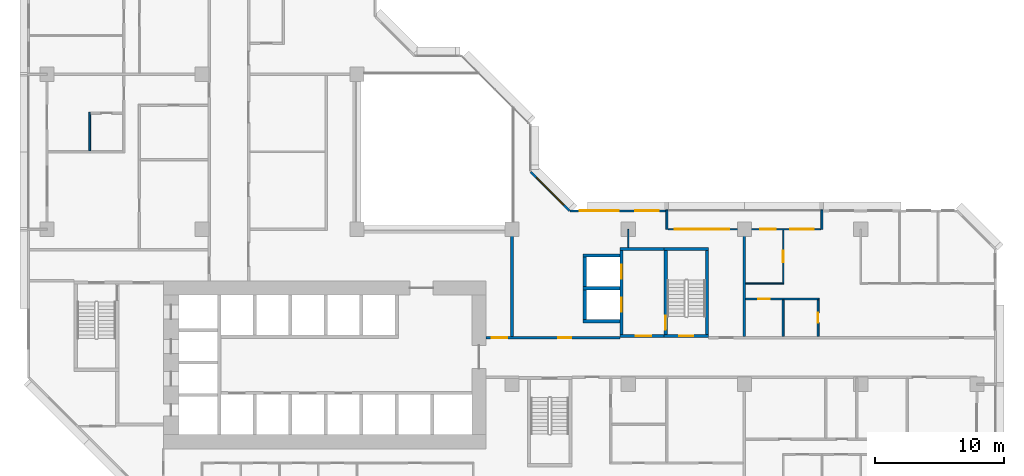
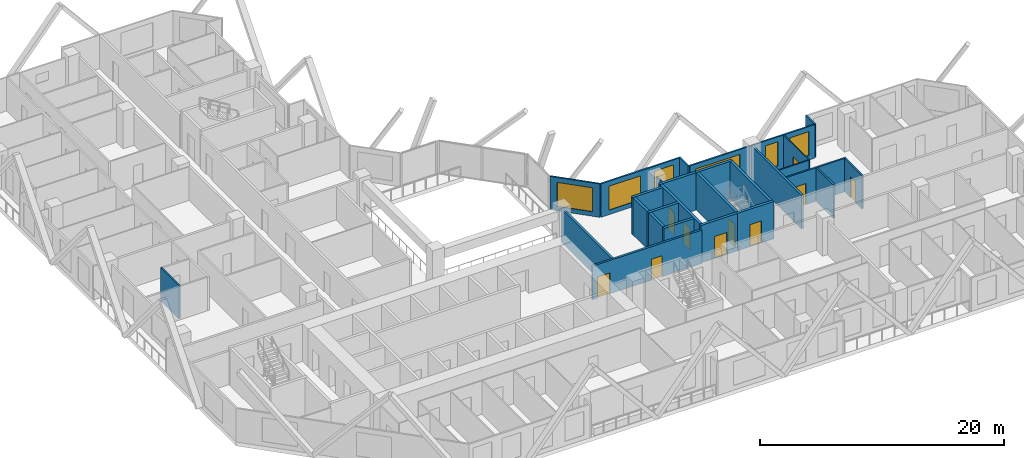
# One storey, part 7 of 15: 27 walls, 10 doors, 6 windows, 16 openings.
"""IFC4 building model written with IfcOpenShell, lengths in metres."""

from ifc_helpers import new_model, si_unit, direction, frame, frame_2d, origin, place, context, subcontext, project, spatial, rectangle, extrude, material, layer, layer_set, type_object, element, fill, save


model = new_model("IFC4")

# Units and contexts
model_context = context("Model", 3, precision=1e-05, world=origin(), true_north=direction((0.0, 1.0)))
body_context = subcontext(model_context, "Body", "Model", "MODEL_VIEW")
ifc_project = project(units=[si_unit("LENGTHUNIT", "METRE"), si_unit("AREAUNIT", "SQUARE_METRE"), si_unit("VOLUMEUNIT", "CUBIC_METRE"), si_unit("PLANEANGLEUNIT", "RADIAN"), si_unit("MASSUNIT", "GRAM", prefix="KILO")], contexts=[model_context])

# Site, building, storey
site_placement = place(None, origin())
site = spatial("IfcSite", under=ifc_project, at=site_placement, CompositionType="ELEMENT")
building_placement = place(site_placement, origin())
building = spatial("IfcBuilding", under=site, at=building_placement, Name="Chenar Terraces", CompositionType="ELEMENT")
storey_placement = place(building_placement, frame((0.0, 0.0, 63.89990234375)))
storey = spatial("IfcBuildingStorey", under=building, at=storey_placement, Name="L13", CompositionType="ELEMENT", Elevation=63.89990234375)

# Wall, opening, door
ifc_material_1 = material(Name="Concrete C70/85", Category="concrete")
ifc_layer_1 = layer(ifc_material_1, 0.25)
ifc_layer_set_1 = layer_set([ifc_layer_1], Name="Concrete C70/85")
wall_type_1 = type_object("IfcWallType", Name="Core wall 250 Concrete C70/85", PredefinedType="SHEAR", material=ifc_layer_set_1)
wall_1_placement = place(storey_placement, frame((47.77490234375, 15.72509765625, 0.0), z_axis=(0.0, 0.0, 1.0), x_axis=(1.0, 0.0, 0.0)))
wall_1 = element("IfcWall", 1, at=wall_1_placement, inside=storey, type_object=wall_type_1, Name="Core wall ST3_S L13", PredefinedType="SHEAR", context=body_context, shape_type="SweptSolid", body=[
    extrude(rectangle(XDim=3.4501953125, YDim=0.25, at=frame_2d((1.72509765625, 0.0))), origin(), (0.0, 0.0, 1.0), 3.75),
])
opening_1_placement = place(wall_1_placement, frame((1.175048828125, 0.0, 0.0)))
opening_1 = element("IfcOpeningElement", 2, at=opening_1_placement, cuts=wall_1, Name="Opening DL13-C8", PredefinedType="OPENING", context=body_context, shape_type="SweptSolid", body=[
    extrude(rectangle(XDim=1.10009765625, YDim=2.199951171875, at=frame_2d((0.550048828125, 1.10009765625))), frame((0.0, 0.135009765625, 0.0), z_axis=(0.0, -1.0, 0.0), x_axis=(1.0, 0.0, 0.0)), (0.0, 0.0, 1.0), 0.27001953125),
])
ifc_material_2 = material(Name="Steel-framed fire-resisting door leaf", Category="steel")
door_type_1 = type_object("IfcDoorType", Name="Stair fire door FD60 1100 x 2200", OperationType="SINGLE_SWING_LEFT", PredefinedType="DOOR", material=ifc_material_2)
door_1_placement = place(opening_1_placement, frame((1.10009765625, 0.0, 0.0), z_axis=(0.0, 0.0, 1.0), x_axis=(-1.0, 0.0, 0.0)))
door_1 = element("IfcDoor", 3, at=door_1_placement, inside=storey, type_object=door_type_1, Name="Stair door DL13-C8", OperationType="SINGLE_SWING_LEFT", OverallHeight=2.199951171875, OverallWidth=1.10009765625, PredefinedType="DOOR", context=body_context, shape_type="SweptSolid", body=[
    extrude(rectangle(XDim=1.10009765625, YDim=2.199951171875, at=frame_2d((0.550048828125, 1.10009765625))), frame((0.0, 0.02490234375, 0.0), z_axis=(0.0, -1.0, 0.0), x_axis=(1.0, 0.0, 0.0)), (0.0, 0.0, 1.0), 0.050048828125),
])
fill(opening_1, door_1)

# Wall
wall_2_placement = place(storey_placement, frame((47.77490234375, 22.47509765625, 0.0), z_axis=(0.0, 0.0, 1.0), x_axis=(1.0, 0.0, 0.0)))
element("IfcWall", 4, at=wall_2_placement, inside=storey, type_object=wall_type_1, Name="Core wall ST3_N L13", PredefinedType="SHEAR", context=body_context, shape_type="SweptSolid", body=[
    extrude(rectangle(XDim=3.4501953125, YDim=0.25, at=frame_2d((1.72509765625, 0.0))), origin(), (0.0, 0.0, 1.0), 3.75),
])

# Wall, opening, door
wall_3_placement = place(storey_placement, frame((47.89990234375, 15.85009765625, 0.0), z_axis=(0.0, 0.0, 1.0), x_axis=(0.0, 1.0, 0.0)))
wall_3 = element("IfcWall", 5, at=wall_3_placement, inside=storey, type_object=wall_type_1, Name="Core wall ST3_W L13", PredefinedType="SHEAR", context=body_context, shape_type="SweptSolid", body=[
    extrude(rectangle(XDim=6.5, YDim=0.25, at=frame_2d((3.25, 0.0))), origin(), (0.0, 0.0, 1.0), 3.75),
])
opening_2_placement = place(wall_3_placement, frame((0.35009765625, 0.0, 0.0)))
opening_2 = element("IfcOpeningElement", 6, at=opening_2_placement, cuts=wall_3, Name="Opening DL13-C11", PredefinedType="OPENING", context=body_context, shape_type="SweptSolid", body=[
    extrude(rectangle(XDim=1.10009765625, YDim=2.199951171875, at=frame_2d((0.550048828125, 1.10009765625))), frame((0.0, 0.135009765625, 0.0), z_axis=(0.0, -1.0, 0.0), x_axis=(1.0, 0.0, 0.0)), (0.0, 0.0, 1.0), 0.27001953125),
])
door_2_placement = place(opening_2_placement, frame((1.10009765625, 0.0, 0.0), z_axis=(0.0, 0.0, 1.0), x_axis=(-1.0, 0.0, 0.0)))
door_2 = element("IfcDoor", 7, at=door_2_placement, inside=storey, type_object=door_type_1, Name="Stair door DL13-C11", OperationType="SINGLE_SWING_RIGHT", OverallHeight=2.199951171875, OverallWidth=1.10009765625, PredefinedType="DOOR", context=body_context, shape_type="SweptSolid", body=[
    extrude(rectangle(XDim=1.10009765625, YDim=2.199951171875, at=frame_2d((0.550048828125, 1.10009765625))), frame((0.0, 0.02490234375, 0.0), z_axis=(0.0, -1.0, 0.0), x_axis=(1.0, 0.0, 0.0)), (0.0, 0.0, 1.0), 0.050048828125),
])
fill(opening_2, door_2)

# Wall
wall_4_placement = place(storey_placement, frame((51.10009765625, 15.85009765625, 0.0), z_axis=(0.0, 0.0, 1.0), x_axis=(0.0, 1.0, 0.0)))
element("IfcWall", 8, at=wall_4_placement, inside=storey, type_object=wall_type_1, Name="Core wall ST3_E L13", PredefinedType="SHEAR", context=body_context, shape_type="SweptSolid", body=[
    extrude(rectangle(XDim=6.5, YDim=0.25, at=frame_2d((3.25, 0.0))), origin(), (0.0, 0.0, 1.0), 3.75),
])

# Wall, opening, door
wall_5_placement = place(storey_placement, frame((44.35009765625, 15.72509765625, 0.0), z_axis=(0.0, 0.0, 1.0), x_axis=(1.0, 0.0, 0.0)))
wall_5 = element("IfcWall", 9, at=wall_5_placement, inside=storey, type_object=wall_type_1, Name="Core wall F3_LS L13", PredefinedType="SHEAR", context=body_context, shape_type="SweptSolid", body=[
    extrude(rectangle(XDim=3.4248046875, YDim=0.25, at=frame_2d((1.71240234375, 0.0))), origin(), (0.0, 0.0, 1.0), 3.75),
])
opening_3_placement = place(wall_5_placement, frame((1.25, 0.0, 0.0)))
opening_3 = element("IfcOpeningElement", 10, at=opening_3_placement, cuts=wall_5, Name="Opening DL13-C10", PredefinedType="OPENING", context=body_context, shape_type="SweptSolid", body=[
    extrude(rectangle(XDim=1.199951171875, YDim=2.199951171875, at=frame_2d((0.60009765625, 1.10009765625))), frame((0.0, 0.135009765625, 0.0), z_axis=(0.0, -1.0, 0.0), x_axis=(1.0, 0.0, 0.0)), (0.0, 0.0, 1.0), 0.27001953125),
])
ifc_material_3 = material(Name="Steel-framed fire-resisting door leaf", Category="steel")
door_type_2 = type_object("IfcDoorType", Name="Lobby fire door FD60 1200 x 2200", OperationType="SINGLE_SWING_LEFT", PredefinedType="DOOR", material=ifc_material_3)
door_3_placement = place(opening_3_placement, origin())
door_3 = element("IfcDoor", 11, at=door_3_placement, inside=storey, type_object=door_type_2, Name="Core door DL13-C10", OperationType="SINGLE_SWING_RIGHT", OverallHeight=2.199951171875, OverallWidth=1.199951171875, PredefinedType="DOOR", context=body_context, shape_type="SweptSolid", body=[
    extrude(rectangle(XDim=1.199951171875, YDim=2.199951171875, at=frame_2d((0.60009765625, 1.10009765625))), frame((0.0, 0.02490234375, 0.0), z_axis=(0.0, -1.0, 0.0), x_axis=(1.0, 0.0, 0.0)), (0.0, 0.0, 1.0), 0.050048828125),
])
fill(opening_3, door_3)

# Wall
wall_6_placement = place(storey_placement, frame((44.35009765625, 22.47509765625, 0.0), z_axis=(0.0, 0.0, 1.0), x_axis=(1.0, 0.0, 0.0)))
element("IfcWall", 12, at=wall_6_placement, inside=storey, type_object=wall_type_1, Name="Core wall F3_LN L13", PredefinedType="SHEAR", context=body_context, shape_type="SweptSolid", body=[
    extrude(rectangle(XDim=3.4248046875, YDim=0.25, at=frame_2d((1.71240234375, 0.0))), origin(), (0.0, 0.0, 1.0), 3.75),
])

# Wall, openings, doors
wall_7_placement = place(storey_placement, frame((44.47509765625, 15.85009765625, 0.0), z_axis=(0.0, 0.0, 1.0), x_axis=(0.0, 1.0, 0.0)))
wall_7 = element("IfcWall", 13, at=wall_7_placement, inside=storey, type_object=wall_type_1, Name="Core wall F3_LW L13", PredefinedType="SHEAR", context=body_context, shape_type="SweptSolid", body=[
    extrude(rectangle(XDim=6.5, YDim=0.25, at=frame_2d((3.25, 0.0))), origin(), (0.0, 0.0, 1.0), 3.75),
])
opening_4_placement = place(wall_7_placement, frame((1.75, 0.0, 0.0)))
opening_4 = element("IfcOpeningElement", 14, at=opening_4_placement, cuts=wall_7, Name="Opening DL13-LD8", PredefinedType="OPENING", context=body_context, shape_type="SweptSolid", body=[
    extrude(rectangle(XDim=1.10009765625, YDim=2.199951171875, at=frame_2d((0.550048828125, 1.10009765625))), frame((0.0, 0.135009765625, 0.0), z_axis=(0.0, -1.0, 0.0), x_axis=(1.0, 0.0, 0.0)), (0.0, 0.0, 1.0), 0.27001953125),
])
opening_5_placement = place(wall_7_placement, frame((4.300048828125, 0.0, 0.0)))
opening_5 = element("IfcOpeningElement", 15, at=opening_5_placement, cuts=wall_7, Name="Opening DL13-LD9", PredefinedType="OPENING", context=body_context, shape_type="SweptSolid", body=[
    extrude(rectangle(XDim=1.10009765625, YDim=2.199951171875, at=frame_2d((0.550048828125, 1.10009765625))), frame((0.0, 0.135009765625, 0.0), z_axis=(0.0, -1.0, 0.0), x_axis=(1.0, 0.0, 0.0)), (0.0, 0.0, 1.0), 0.27001953125),
])
ifc_material_4 = material(Name="Stainless steel", Category="steel")
door_type_3 = type_object("IfcDoorType", Name="Lift landing door 1100 x 2200 sliding", OperationType="DOUBLE_DOOR_SLIDING", PredefinedType="DOOR", material=ifc_material_4)
door_4_placement = place(opening_4_placement, origin())
door_4 = element("IfcDoor", 16, at=door_4_placement, inside=storey, type_object=door_type_3, Name="Landing door F3", OperationType="DOUBLE_DOOR_SLIDING", OverallHeight=2.199951171875, OverallWidth=1.10009765625, PredefinedType="DOOR", context=body_context, shape_type="SweptSolid", body=[
    extrude(rectangle(XDim=1.10009765625, YDim=2.199951171875, at=frame_2d((0.550048828125, 1.10009765625))), frame((0.0, 0.02490234375, 0.0), z_axis=(0.0, -1.0, 0.0), x_axis=(1.0, 0.0, 0.0)), (0.0, 0.0, 1.0), 0.050048828125),
])
fill(opening_4, door_4)
door_5_placement = place(opening_5_placement, origin())
door_5 = element("IfcDoor", 17, at=door_5_placement, inside=storey, type_object=door_type_3, Name="Landing door F4", OperationType="DOUBLE_DOOR_SLIDING", OverallHeight=2.199951171875, OverallWidth=1.10009765625, PredefinedType="DOOR", context=body_context, shape_type="SweptSolid", body=[
    extrude(rectangle(XDim=1.10009765625, YDim=2.199951171875, at=frame_2d((0.550048828125, 1.10009765625))), frame((0.0, 0.02490234375, 0.0), z_axis=(0.0, -1.0, 0.0), x_axis=(1.0, 0.0, 0.0)), (0.0, 0.0, 1.0), 0.050048828125),
])
fill(opening_5, door_5)

# Walls
for number, where, z_axis, x_axis, name in (
    (18, (41.5, 16.875, 0.0), (0.0, 0.0, 1.0), (1.0, 0.0, 0.0), "Core wall F3_SS L13"),
    (19, (41.5, 19.425048828125, 0.0), (0.0, 0.0, 1.0), (1.0, 0.0, 0.0), "Core wall F3_SM L13"),
    (20, (41.5, 21.97509765625, 0.0), (0.0, 0.0, 1.0), (1.0, 0.0, 0.0), "Core wall F4_SN L13"),
):
    element("IfcWall", number, at=place(storey_placement, frame(where, z_axis=z_axis, x_axis=x_axis)), inside=storey, type_object=wall_type_1, Name=name, PredefinedType="SHEAR", context=body_context, shape_type="SweptSolid", body=[
        extrude(rectangle(XDim=2.85009765625, YDim=0.25, at=frame_2d((1.425048828125, 0.0))), origin(), (0.0, 0.0, 1.0), 3.75),
    ])
for number, where, z_axis, x_axis, name in (
    (21, (41.625, 17.0, 0.0), (0.0, 0.0, 1.0), (0.0, 1.0, 0.0), "Core wall F3_SW L13"),
    (22, (41.625, 19.550048828125, 0.0), (0.0, 0.0, 1.0), (0.0, 1.0, 0.0), "Core wall F4_SW L13"),
):
    element("IfcWall", number, at=place(storey_placement, frame(where, z_axis=z_axis, x_axis=x_axis)), inside=storey, type_object=wall_type_1, Name=name, PredefinedType="SHEAR", context=body_context, shape_type="SweptSolid", body=[
        extrude(rectangle(XDim=2.300048828125, YDim=0.25, at=frame_2d((1.14990234375, 0.0))), origin(), (0.0, 0.0, 1.0), 3.75),
    ])

# Wall, openings, doors
ifc_material_5 = material(Name="Gypsum board on steel studs with fire boards", Category="steel")
ifc_layer_2 = layer(ifc_material_5, 0.199951171875)
ifc_layer_set_2 = layer_set([ifc_layer_2], Name="Gypsum board on steel studs with fire boards")
wall_type_2 = type_object("IfcWallType", Name="Corridor wall 200", PredefinedType="PARTITIONING", material=ifc_layer_set_2)
wall_8_placement = place(storey_placement, frame((34.0, 15.60009765625, 0.0), z_axis=(0.0, 0.0, 1.0), x_axis=(1.0, 0.0, 0.0)))
wall_8 = element("IfcWall", 23, at=wall_8_placement, inside=storey, type_object=wall_type_2, Name="Partition L13-058", PredefinedType="PARTITIONING", context=body_context, shape_type="SweptSolid", body=[
    extrude(rectangle(XDim=10.35009765625, YDim=0.199951171875, at=frame_2d((5.175048828125, 0.0))), origin(), (0.0, 0.0, 1.0), 3.35009765625),
])
opening_6_placement = place(wall_8_placement, frame((5.60009765625, 0.0, 0.0)))
opening_6 = element("IfcOpeningElement", 24, at=opening_6_placement, cuts=wall_8, Name="Opening DL13-3", PredefinedType="OPENING", context=body_context, shape_type="SweptSolid", body=[
    extrude(rectangle(XDim=1.0, YDim=2.10009765625, at=frame_2d((0.5, 1.050048828125))), frame((0.0, 0.10986328125, 0.0), z_axis=(0.0, -1.0, 0.0), x_axis=(1.0, 0.0, 0.0)), (0.0, 0.0, 1.0), 0.219970703125),
])
opening_7_placement = place(wall_8_placement, frame((0.449951171875, 0.0, 0.0)))
opening_7 = element("IfcOpeningElement", 25, at=opening_7_placement, cuts=wall_8, Name="Opening DL13-43", PredefinedType="OPENING", context=body_context, shape_type="SweptSolid", body=[
    extrude(rectangle(XDim=1.199951171875, YDim=2.10009765625, at=frame_2d((0.60009765625, 1.050048828125))), frame((0.0, 0.10986328125, 0.0), z_axis=(0.0, -1.0, 0.0), x_axis=(1.0, 0.0, 0.0)), (0.0, 0.0, 1.0), 0.219970703125),
])
ifc_material_6 = material(Name="Steel-framed fire-resisting door leaf", Category="steel")
door_type_4 = type_object("IfcDoorType", Name="Fire door FD60 1000 x 2100", OperationType="SINGLE_SWING_LEFT", PredefinedType="DOOR", material=ifc_material_6)
door_6_placement = place(opening_6_placement, origin())
door_6 = element("IfcDoor", 26, at=door_6_placement, inside=storey, type_object=door_type_4, Name="Door DL13-3", OperationType="SINGLE_SWING_RIGHT", OverallHeight=2.10009765625, OverallWidth=1.0, PredefinedType="DOOR", context=body_context, shape_type="SweptSolid", body=[
    extrude(rectangle(XDim=1.0, YDim=2.10009765625, at=frame_2d((0.5, 1.050048828125))), frame((0.0, 0.02490234375, 0.0), z_axis=(0.0, -1.0, 0.0), x_axis=(1.0, 0.0, 0.0)), (0.0, 0.0, 1.0), 0.050048828125),
])
fill(opening_6, door_6)
ifc_material_7 = material(Name="Steel-framed fire-resisting door leaf", Category="steel")
door_type_5 = type_object("IfcDoorType", Name="Fire door FD60 1200 x 2100", OperationType="SINGLE_SWING_LEFT", PredefinedType="DOOR", material=ifc_material_7)
door_7_placement = place(opening_7_placement, origin())
door_7 = element("IfcDoor", 27, at=door_7_placement, inside=storey, type_object=door_type_5, Name="Door DL13-43", OperationType="SINGLE_SWING_RIGHT", OverallHeight=2.10009765625, OverallWidth=1.199951171875, PredefinedType="DOOR", context=body_context, shape_type="SweptSolid", body=[
    extrude(rectangle(XDim=1.199951171875, YDim=2.10009765625, at=frame_2d((0.60009765625, 1.050048828125))), frame((0.0, 0.02490234375, 0.0), z_axis=(0.0, -1.0, 0.0), x_axis=(1.0, 0.0, 0.0)), (0.0, 0.0, 1.0), 0.050048828125),
])
fill(opening_7, door_7)

# Wall
wall_9_placement = place(storey_placement, frame((36.0, 15.699951171875, 0.0), z_axis=(0.0, 0.0, 1.0), x_axis=(0.0, 1.0, 0.0)))
element("IfcWall", 28, at=wall_9_placement, inside=storey, type_object=wall_type_2, Name="Partition L13-059", PredefinedType="PARTITIONING", context=body_context, shape_type="SweptSolid", body=[
    extrude(rectangle(XDim=8.300048828125, YDim=0.199951171875, at=frame_2d((4.14990234375, 0.0))), origin(), (0.0, 0.0, 1.0), 3.35009765625),
])

# Wall, openings, windows
ifc_material_8 = material(Name="Aluminium framed glazing", Category="aluminium")
ifc_layer_3 = layer(ifc_material_8, 0.14990234375)
ifc_layer_set_3 = layer_set([ifc_layer_3], Name="Aluminium framed glazing")
wall_type_3 = type_object("IfcWallType", Name="Glazed flush facade wall 150", PredefinedType="SOLIDWALL", material=ifc_layer_set_3)
wall_10_placement = place(storey_placement, frame((47.925048828125, 25.425048828125, 0.0), z_axis=(0.0, 0.0, 1.0), x_axis=(-1.0, 0.0, 0.0)))
wall_10 = element("IfcWall", 29, at=wall_10_placement, inside=storey, type_object=wall_type_3, Name="Glazed flush facade wall", PredefinedType="SOLIDWALL", context=body_context, shape_type="SweptSolid", body=[
    extrude(rectangle(XDim=7.425048828125, YDim=0.14990234375, at=frame_2d((3.71240234375, 0.0))), origin(), (0.0, 0.0, 1.0), 3.35009765625),
])
opening_8_placement = place(wall_10_placement, frame((0.5625, 0.0, 0.449951171875)))
opening_8 = element("IfcOpeningElement", 30, at=opening_8_placement, cuts=wall_10, Name="Opening W180x240", PredefinedType="OPENING", context=body_context, shape_type="SweptSolid", body=[
    extrude(rectangle(XDim=1.800048828125, YDim=2.39990234375, at=frame_2d((0.89990234375, 1.199951171875))), frame((0.0, 0.0849609375, 0.0), z_axis=(0.0, -1.0, 0.0), x_axis=(1.0, 0.0, 0.0)), (0.0, 0.0, 1.0), 0.169921875),
])
opening_9_placement = place(wall_10_placement, frame((3.675048828125, 0.0, 0.449951171875)))
opening_9 = element("IfcOpeningElement", 31, at=opening_9_placement, cuts=wall_10, Name="Opening W300x240", PredefinedType="OPENING", context=body_context, shape_type="SweptSolid", body=[
    extrude(rectangle(XDim=3.0, YDim=2.39990234375, at=frame_2d((1.5, 1.199951171875))), frame((0.0, 0.0849609375, 0.0), z_axis=(0.0, -1.0, 0.0), x_axis=(1.0, 0.0, 0.0)), (0.0, 0.0, 1.0), 0.169921875),
])
ifc_material_9 = material(Name="Low emissivity double glazing, aluminium frame", Category="aluminium")
window_type_1 = type_object("IfcWindowType", Name="Fixed light 1800 x 2400", PartitioningType="SINGLE_PANEL", PredefinedType="WINDOW", material=ifc_material_9)
window_1_placement = place(opening_8_placement, origin())
window_1 = element("IfcWindow", 32, at=window_1_placement, inside=storey, type_object=window_type_1, Name="Window", OverallHeight=2.39990234375, OverallWidth=1.800048828125, PartitioningType="SINGLE_PANEL", PredefinedType="WINDOW", context=body_context, shape_type="SweptSolid", body=[
    extrude(rectangle(XDim=1.800048828125, YDim=2.39990234375, at=frame_2d((0.89990234375, 1.199951171875))), frame((0.0, 0.030029296875, 0.0), z_axis=(0.0, -1.0, 0.0), x_axis=(1.0, 0.0, 0.0)), (0.0, 0.0, 1.0), 0.06005859375),
])
fill(opening_8, window_1)
ifc_material_10 = material(Name="Low emissivity double glazing, aluminium frame", Category="aluminium")
window_type_2 = type_object("IfcWindowType", Name="Fixed light 3000 x 2400", PartitioningType="SINGLE_PANEL", PredefinedType="WINDOW", material=ifc_material_10)
window_2_placement = place(opening_9_placement, origin())
window_2 = element("IfcWindow", 33, at=window_2_placement, inside=storey, type_object=window_type_2, Name="Window", OverallHeight=2.39990234375, OverallWidth=3.0, PartitioningType="SINGLE_PANEL", PredefinedType="WINDOW", context=body_context, shape_type="SweptSolid", body=[
    extrude(rectangle(XDim=3.0, YDim=2.39990234375, at=frame_2d((1.5, 1.199951171875))), frame((0.0, 0.030029296875, 0.0), z_axis=(0.0, -1.0, 0.0), x_axis=(1.0, 0.0, 0.0)), (0.0, 0.0, 1.0), 0.06005859375),
])
fill(opening_9, window_2)

ifc_material_11 = material(Name="Aluminium framed glazing", Category="aluminium")
ifc_layer_4 = layer(ifc_material_11, 0.14990234375)
ifc_layer_set_4 = layer_set([ifc_layer_4], Name="Aluminium framed glazing")
wall_type_4 = type_object("IfcWallType", Name="Glazed loggia back wall 150", PredefinedType="SOLIDWALL", material=ifc_layer_set_4)
wall_11_placement = place(storey_placement, frame((59.925048828125, 24.0, 0.0), z_axis=(0.0, 0.0, 1.0), x_axis=(-1.0, 0.0, 0.0)))
wall_11 = element("IfcWall", 34, at=wall_11_placement, inside=storey, type_object=wall_type_4, Name="Glazed loggia back wall", PredefinedType="SOLIDWALL", context=body_context, shape_type="SweptSolid", body=[
    extrude(rectangle(XDim=11.85009765625, YDim=0.14990234375, at=frame_2d((5.925048828125, 0.0))), origin(), (0.0, 0.0, 1.0), 3.35009765625),
])
opening_10_placement = place(wall_11_placement, frame((0.5625, 0.0, 0.449951171875)))
opening_10 = element("IfcOpeningElement", 35, at=opening_10_placement, cuts=wall_11, Name="Opening W180x240", PredefinedType="OPENING", context=body_context, shape_type="SweptSolid", body=[
    extrude(rectangle(XDim=1.800048828125, YDim=2.39990234375, at=frame_2d((0.89990234375, 1.199951171875))), frame((0.0, 0.0849609375, 0.0), z_axis=(0.0, -1.0, 0.0), x_axis=(1.0, 0.0, 0.0)), (0.0, 0.0, 1.0), 0.169921875),
])
opening_11_placement = place(wall_11_placement, frame((3.5, 0.0, 0.449951171875)))
opening_11 = element("IfcOpeningElement", 36, at=opening_11_placement, cuts=wall_11, Name="Opening W120x240", PredefinedType="OPENING", context=body_context, shape_type="SweptSolid", body=[
    extrude(rectangle(XDim=1.199951171875, YDim=2.39990234375, at=frame_2d((0.60009765625, 1.199951171875))), frame((0.0, 0.0849609375, 0.0), z_axis=(0.0, -1.0, 0.0), x_axis=(1.0, 0.0, 0.0)), (0.0, 0.0, 1.0), 0.169921875),
])
opening_12_placement = place(wall_11_placement, frame((7.112548828125, 0.0, 0.449951171875)))
opening_12 = element("IfcOpeningElement", 37, at=opening_12_placement, cuts=wall_11, Name="Opening W420x240", PredefinedType="OPENING", context=body_context, shape_type="SweptSolid", body=[
    extrude(rectangle(XDim=4.199951171875, YDim=2.39990234375, at=frame_2d((2.10009765625, 1.199951171875))), frame((0.0, 0.0849609375, 0.0), z_axis=(0.0, -1.0, 0.0), x_axis=(1.0, 0.0, 0.0)), (0.0, 0.0, 1.0), 0.169921875),
])
ifc_material_12 = material(Name="Low emissivity double glazing, aluminium frame", Category="aluminium")
window_type_3 = type_object("IfcWindowType", Name="Fixed light 1200 x 2400", PartitioningType="SINGLE_PANEL", PredefinedType="WINDOW", material=ifc_material_12)
window_3_placement = place(opening_11_placement, origin())
window_3 = element("IfcWindow", 38, at=window_3_placement, inside=storey, type_object=window_type_3, Name="Window", OverallHeight=2.39990234375, OverallWidth=1.199951171875, PartitioningType="SINGLE_PANEL", PredefinedType="WINDOW", context=body_context, shape_type="SweptSolid", body=[
    extrude(rectangle(XDim=1.199951171875, YDim=2.39990234375, at=frame_2d((0.60009765625, 1.199951171875))), frame((0.0, 0.030029296875, 0.0), z_axis=(0.0, -1.0, 0.0), x_axis=(1.0, 0.0, 0.0)), (0.0, 0.0, 1.0), 0.06005859375),
])
fill(opening_11, window_3)
window_4_placement = place(opening_10_placement, origin())
window_4 = element("IfcWindow", 39, at=window_4_placement, inside=storey, type_object=window_type_1, Name="Window", OverallHeight=2.39990234375, OverallWidth=1.800048828125, PartitioningType="SINGLE_PANEL", PredefinedType="WINDOW", context=body_context, shape_type="SweptSolid", body=[
    extrude(rectangle(XDim=1.800048828125, YDim=2.39990234375, at=frame_2d((0.89990234375, 1.199951171875))), frame((0.0, 0.030029296875, 0.0), z_axis=(0.0, -1.0, 0.0), x_axis=(1.0, 0.0, 0.0)), (0.0, 0.0, 1.0), 0.06005859375),
])
fill(opening_10, window_4)
ifc_material_13 = material(Name="Low emissivity double glazing, aluminium frame", Category="aluminium")
window_type_4 = type_object("IfcWindowType", Name="Fixed light 4200 x 2400", PartitioningType="SINGLE_PANEL", PredefinedType="WINDOW", material=ifc_material_13)
window_5_placement = place(opening_12_placement, origin())
window_5 = element("IfcWindow", 40, at=window_5_placement, inside=storey, type_object=window_type_4, Name="Window", OverallHeight=2.39990234375, OverallWidth=4.199951171875, PartitioningType="SINGLE_PANEL", PredefinedType="WINDOW", context=body_context, shape_type="SweptSolid", body=[
    extrude(rectangle(XDim=4.199951171875, YDim=2.39990234375, at=frame_2d((2.10009765625, 1.199951171875))), frame((0.0, 0.030029296875, 0.0), z_axis=(0.0, -1.0, 0.0), x_axis=(1.0, 0.0, 0.0)), (0.0, 0.0, 1.0), 0.06005859375),
])
fill(opening_12, window_5)

# Walls
ifc_material_14 = material(Name="Gypsum board on steel studs", Category="steel")
ifc_layer_5 = layer(ifc_material_14, 0.10009765625)
ifc_layer_set_5 = layer_set([ifc_layer_5], Name="Gypsum board on steel studs")
wall_type_5 = type_object("IfcWallType", Name="Gypsum partition 100", PredefinedType="PARTITIONING", material=ifc_layer_set_5)
wall_12_placement = place(storey_placement, frame((45.0, 22.60009765625, 0.0), z_axis=(0.0, 0.0, 1.0), x_axis=(0.0, 1.0, 0.0)))
element("IfcWall", 41, at=wall_12_placement, inside=storey, type_object=wall_type_5, Name="Partition L13-066", PredefinedType="PARTITIONING", context=body_context, shape_type="SweptSolid", body=[
    extrude(rectangle(XDim=1.39990234375, YDim=0.10009765625, at=frame_2d((0.699951171875, 0.0))), origin(), (0.0, 0.0, 1.0), 3.35009765625),
])
wall_13_placement = place(storey_placement, frame((54.10009765625, 19.800048828125, 0.0), z_axis=(0.0, 0.0, 1.0), x_axis=(1.0, 0.0, 0.0)))
element("IfcWall", 42, at=wall_13_placement, inside=storey, type_object=wall_type_5, Name="Partition L13-075", PredefinedType="PARTITIONING", context=body_context, shape_type="SweptSolid", body=[
    extrude(rectangle(XDim=2.849853515625, YDim=0.10009765625, at=frame_2d((1.4248046875, 0.0))), origin(), (0.0, 0.0, 1.0), 3.35009765625),
])

# Wall, opening, door
wall_14_placement = place(storey_placement, frame((57.0, 19.75, 0.0), z_axis=(0.0, 0.0, 1.0), x_axis=(0.0, 1.0, 0.0)))
wall_14 = element("IfcWall", 43, at=wall_14_placement, inside=storey, type_object=wall_type_5, Name="Partition L13-079", PredefinedType="PARTITIONING", context=body_context, shape_type="SweptSolid", body=[
    extrude(rectangle(XDim=4.176025390625, YDim=0.10009765625, at=frame_2d((2.087890625, 0.0))), origin(), (0.0, 0.0, 1.0), 3.35009765625),
])
opening_13_placement = place(wall_14_placement, frame((1.699951171875, 0.0, 0.0)))
opening_13 = element("IfcOpeningElement", 44, at=opening_13_placement, cuts=wall_14, Name="Opening DL13-10", PredefinedType="OPENING", context=body_context, shape_type="SweptSolid", body=[
    extrude(rectangle(XDim=0.89990234375, YDim=2.10009765625, at=frame_2d((0.449951171875, 1.050048828125))), frame((0.0, 0.06005859375, 0.0), z_axis=(0.0, -1.0, 0.0), x_axis=(1.0, 0.0, 0.0)), (0.0, 0.0, 1.0), 0.1201171875),
])
ifc_material_15 = material(Name="Veneered timber door leaf", Category="wood")
door_type_6 = type_object("IfcDoorType", Name="Door 900 x 2100", OperationType="SINGLE_SWING_LEFT", PredefinedType="DOOR", material=ifc_material_15)
door_8_placement = place(opening_13_placement, origin())
door_8 = element("IfcDoor", 45, at=door_8_placement, inside=storey, type_object=door_type_6, Name="Door DL13-10", OperationType="SINGLE_SWING_LEFT", OverallHeight=2.10009765625, OverallWidth=0.89990234375, PredefinedType="DOOR", context=body_context, shape_type="SweptSolid", body=[
    extrude(rectangle(XDim=0.89990234375, YDim=2.10009765625, at=frame_2d((0.449951171875, 1.050048828125))), frame((0.0, 0.02490234375, 0.0), z_axis=(0.0, -1.0, 0.0), x_axis=(1.0, 0.0, 0.0)), (0.0, 0.0, 1.0), 0.050048828125),
])
fill(opening_13, door_8)

# Walls
ifc_material_16 = material(Name="Terracotta cladding on insulated backing", Category="masonry")
ifc_layer_6 = layer(ifc_material_16, 0.14990234375)
ifc_layer_set_6 = layer_set([ifc_layer_6], Name="Terracotta cladding on insulated backing")
wall_type_6 = type_object("IfcWallType", Name="Loggia return wall 150", PredefinedType="SOLIDWALL", material=ifc_layer_set_6)
for number, where, z_axis, x_axis, name in (
    (46, (60.0, 25.5, 0.0), (0.0, 0.0, 1.0), (0.0, -1.0, 0.0), "Loggia return wall"),
    (47, (48.0, 25.5, 0.0), (0.0, 0.0, 1.0), (0.0, -1.0, 0.0), "Loggia return wall"),
):
    element("IfcWall", number, at=place(storey_placement, frame(where, z_axis=z_axis, x_axis=x_axis)), inside=storey, type_object=wall_type_6, Name=name, PredefinedType="SOLIDWALL", context=body_context, shape_type="SweptSolid", body=[
        extrude(rectangle(XDim=1.5, YDim=0.14990234375, at=frame_2d((0.75, 0.0))), origin(), (0.0, 0.0, 1.0), 3.35009765625),
    ])

# Wall, opening, window
ifc_material_17 = material(Name="Terracotta cladding on insulated backing", Category="masonry")
ifc_layer_7 = layer(ifc_material_17, 0.14990234375)
ifc_layer_set_7 = layer_set([ifc_layer_7], Name="Terracotta cladding on insulated backing")
wall_type_7 = type_object("IfcWallType", Name="Terracotta rainscreen wall 150", PredefinedType="SOLIDWALL", material=ifc_layer_set_7)
wall_15_placement = place(storey_placement, frame((40.447021484375, 25.447021484375, 0.0), z_axis=(0.0, 0.0, 1.0), x_axis=(-0.707106781187, 0.707106781187, 0.0)))
wall_15 = element("IfcWall", 48, at=wall_15_placement, inside=storey, type_object=wall_type_7, Name="Terracotta rainscreen wall", PredefinedType="SOLIDWALL", context=body_context, shape_type="SweptSolid", body=[
    extrude(rectangle(XDim=4.24267578125, YDim=0.14990234375, at=frame_2d((2.121337890625, 0.0))), origin(), (0.0, 0.0, 1.0), 3.35009765625),
])
opening_14_placement = place(wall_15_placement, frame((0.621337890625, 0.0, 0.449951171875)))
opening_14 = element("IfcOpeningElement", 49, at=opening_14_placement, cuts=wall_15, Name="Opening W300x240", PredefinedType="OPENING", context=body_context, shape_type="SweptSolid", body=[
    extrude(rectangle(XDim=3.0, YDim=2.39990234375, at=frame_2d((1.5, 1.199951171875))), frame((0.0, 0.0849609375, 0.0), z_axis=(0.0, -1.0, 0.0), x_axis=(1.0, 0.0, 0.0)), (0.0, 0.0, 1.0), 0.169921875),
])
window_6_placement = place(opening_14_placement, origin())
window_6 = element("IfcWindow", 50, at=window_6_placement, inside=storey, type_object=window_type_2, Name="Window", OverallHeight=2.39990234375, OverallWidth=3.0, PartitioningType="SINGLE_PANEL", PredefinedType="WINDOW", context=body_context, shape_type="SweptSolid", body=[
    extrude(rectangle(XDim=3.0, YDim=2.39990234375, at=frame_2d((1.5, 1.199951171875))), frame((0.0, 0.030029296875, 0.0), z_axis=(0.0, -1.0, 0.0), x_axis=(1.0, 0.0, 0.0)), (0.0, 0.0, 1.0), 0.06005859375),
])
fill(opening_14, window_6)

# Walls
ifc_material_18 = material(Name="Twin gypsum board on steel studs with mineral wool", Category="steel")
ifc_layer_8 = layer(ifc_material_18, 0.199951171875)
ifc_layer_set_8 = layer_set([ifc_layer_8], Name="Twin gypsum board on steel studs with mineral wool")
wall_type_8 = type_object("IfcWallType", Name="Unit demising wall 200", PredefinedType="PARTITIONING", material=ifc_layer_set_8)
wall_16_placement = place(storey_placement, frame((54.0, 15.699951171875, 0.0), z_axis=(0.0, 0.0, 1.0), x_axis=(0.0, 1.0, 0.0)))
element("IfcWall", 51, at=wall_16_placement, inside=storey, type_object=wall_type_8, Name="Partition L13-072", PredefinedType="PARTITIONING", context=body_context, shape_type="SweptSolid", body=[
    extrude(rectangle(XDim=8.22607421875, YDim=0.199951171875, at=frame_2d((4.113037109375, 0.0))), origin(), (0.0, 0.0, 1.0), 3.35009765625),
])
ifc_material_19 = material(Name="Moisture-resistant gypsum board on steel studs", Category="steel")
ifc_layer_9 = layer(ifc_material_19, 0.14990234375)
ifc_layer_set_9 = layer_set([ifc_layer_9], Name="Moisture-resistant gypsum board on steel studs")
wall_type_9 = type_object("IfcWallType", Name="Wet-room partition 150", PredefinedType="PARTITIONING", material=ifc_layer_set_9)
wall_17_placement = place(storey_placement, frame((3.300048828125, 30.074951171875, 0.0), z_axis=(0.0, 0.0, 1.0), x_axis=(0.0, 1.0, 0.0)))
element("IfcWall", 52, at=wall_17_placement, inside=storey, type_object=wall_type_9, Name="Partition L13-013", PredefinedType="PARTITIONING", context=body_context, shape_type="SweptSolid", body=[
    extrude(rectangle(XDim=3.0, YDim=0.14990234375, at=frame_2d((1.5, 0.0))), origin(), (0.0, 0.0, 1.0), 3.35009765625),
])

# Wall, opening, door
wall_18_placement = place(storey_placement, frame((54.10009765625, 18.60009765625, 0.0), z_axis=(0.0, 0.0, 1.0), x_axis=(1.0, 0.0, 0.0)))
wall_18 = element("IfcWall", 53, at=wall_18_placement, inside=storey, type_object=wall_type_9, Name="Partition L13-074", PredefinedType="PARTITIONING", context=body_context, shape_type="SweptSolid", body=[
    extrude(rectangle(XDim=5.6748046875, YDim=0.14990234375, at=frame_2d((2.83740234375, 0.0))), origin(), (0.0, 0.0, 1.0), 3.35009765625),
])
opening_15_placement = place(wall_18_placement, frame((0.949951171875, 0.0, 0.0)))
opening_15 = element("IfcOpeningElement", 54, at=opening_15_placement, cuts=wall_18, Name="Opening DL13-7", PredefinedType="OPENING", context=body_context, shape_type="SweptSolid", body=[
    extrude(rectangle(XDim=0.89990234375, YDim=2.10009765625, at=frame_2d((0.449951171875, 1.050048828125))), frame((0.0, 0.0849609375, 0.0), z_axis=(0.0, -1.0, 0.0), x_axis=(1.0, 0.0, 0.0)), (0.0, 0.0, 1.0), 0.169921875),
])
door_9_placement = place(opening_15_placement, frame((0.89990234375, 0.0, 0.0), z_axis=(0.0, 0.0, 1.0), x_axis=(-1.0, 0.0, 0.0)))
door_9 = element("IfcDoor", 55, at=door_9_placement, inside=storey, type_object=door_type_6, Name="Door DL13-7", OperationType="SINGLE_SWING_LEFT", OverallHeight=2.10009765625, OverallWidth=0.89990234375, PredefinedType="DOOR", context=body_context, shape_type="SweptSolid", body=[
    extrude(rectangle(XDim=0.89990234375, YDim=2.10009765625, at=frame_2d((0.449951171875, 1.050048828125))), frame((0.0, 0.02490234375, 0.0), z_axis=(0.0, -1.0, 0.0), x_axis=(1.0, 0.0, 0.0)), (0.0, 0.0, 1.0), 0.050048828125),
])
fill(opening_15, door_9)

# Wall
wall_19_placement = place(storey_placement, frame((57.0, 15.699951171875, 0.0), z_axis=(0.0, 0.0, 1.0), x_axis=(0.0, 1.0, 0.0)))
element("IfcWall", 56, at=wall_19_placement, inside=storey, type_object=wall_type_9, Name="Partition L13-078", PredefinedType="PARTITIONING", context=body_context, shape_type="SweptSolid", body=[
    extrude(rectangle(XDim=2.824951171875, YDim=0.14990234375, at=frame_2d((1.41259765625, 0.0))), origin(), (0.0, 0.0, 1.0), 3.35009765625),
])

# Wall, opening, door
wall_20_placement = place(storey_placement, frame((59.699951171875, 15.699951171875, 0.0), z_axis=(0.0, 0.0, 1.0), x_axis=(0.0, 1.0, 0.0)))
wall_20 = element("IfcWall", 57, at=wall_20_placement, inside=storey, type_object=wall_type_9, Name="Partition L13-080", PredefinedType="PARTITIONING", context=body_context, shape_type="SweptSolid", body=[
    extrude(rectangle(XDim=2.824951171875, YDim=0.14990234375, at=frame_2d((1.41259765625, 0.0))), origin(), (0.0, 0.0, 1.0), 3.35009765625),
])
opening_16_placement = place(wall_20_placement, frame((1.050048828125, 0.0, 0.0)))
opening_16 = element("IfcOpeningElement", 58, at=opening_16_placement, cuts=wall_20, Name="Opening DL13-4", PredefinedType="OPENING", context=body_context, shape_type="SweptSolid", body=[
    extrude(rectangle(XDim=0.800048828125, YDim=2.10009765625, at=frame_2d((0.39990234375, 1.050048828125))), frame((0.0, 0.0849609375, 0.0), z_axis=(0.0, -1.0, 0.0), x_axis=(1.0, 0.0, 0.0)), (0.0, 0.0, 1.0), 0.169921875),
])
ifc_material_20 = material(Name="Veneered timber door leaf", Category="wood")
door_type_7 = type_object("IfcDoorType", Name="Door 800 x 2100", OperationType="SINGLE_SWING_LEFT", PredefinedType="DOOR", material=ifc_material_20)
door_10_placement = place(opening_16_placement, origin())
door_10 = element("IfcDoor", 59, at=door_10_placement, inside=storey, type_object=door_type_7, Name="Door DL13-4", OperationType="SINGLE_SWING_RIGHT", OverallHeight=2.10009765625, OverallWidth=0.800048828125, PredefinedType="DOOR", context=body_context, shape_type="SweptSolid", body=[
    extrude(rectangle(XDim=0.800048828125, YDim=2.10009765625, at=frame_2d((0.39990234375, 1.050048828125))), frame((0.0, 0.02490234375, 0.0), z_axis=(0.0, -1.0, 0.0), x_axis=(1.0, 0.0, 0.0)), (0.0, 0.0, 1.0), 0.050048828125),
])
fill(opening_16, door_10)

save(model, "model.ifc")
